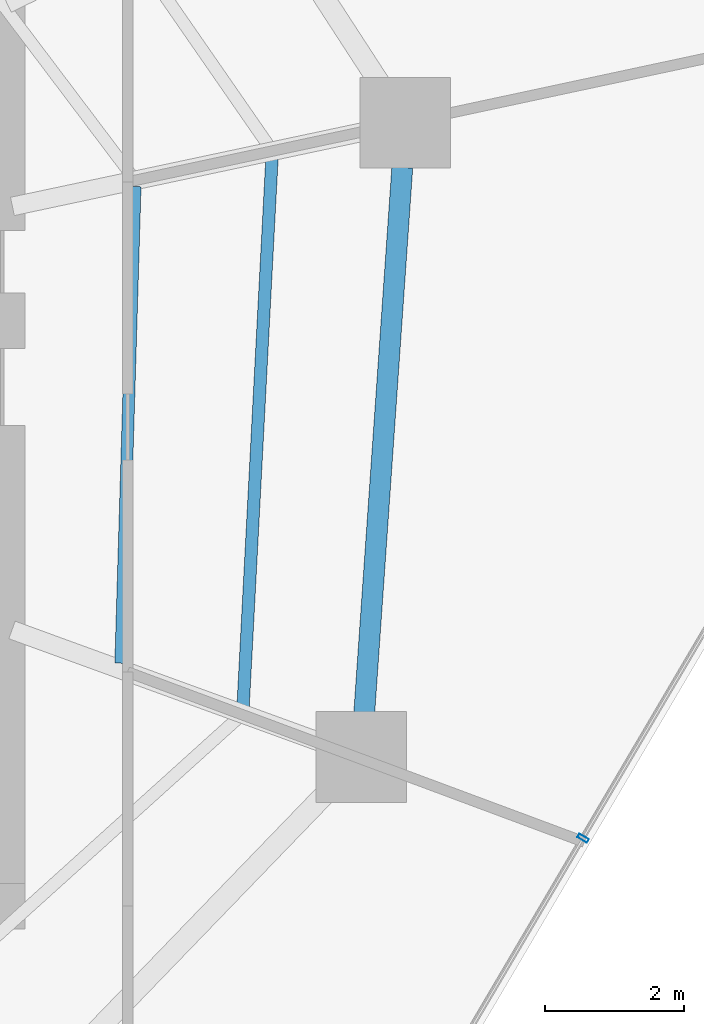
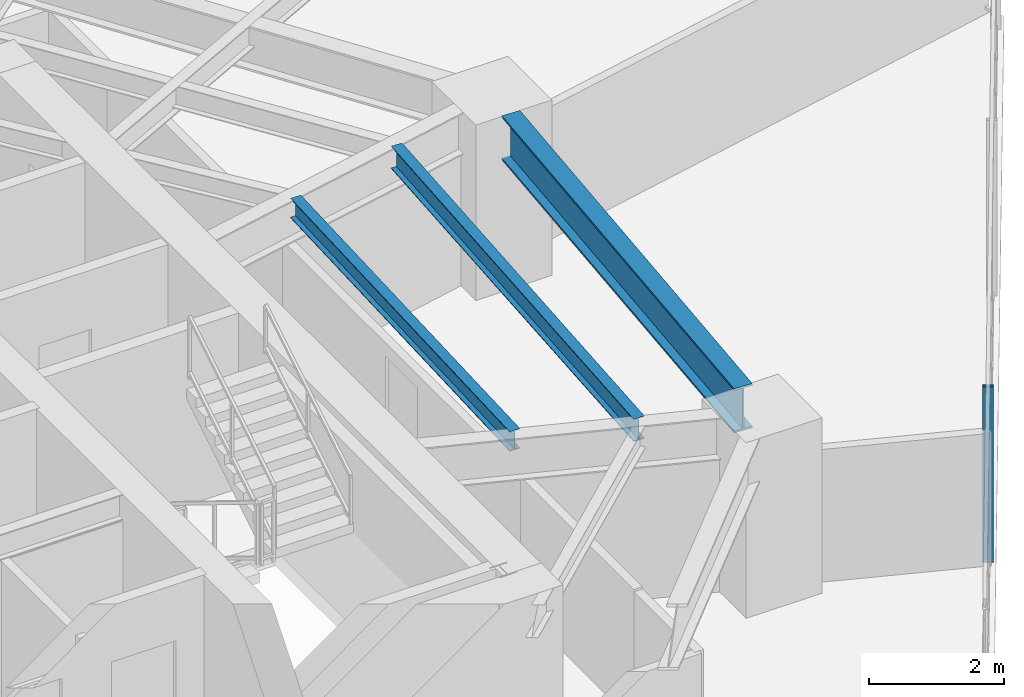
# One storey, part 13 of 31: 3 beams, 1 member, 1 element without a shape of its own.
"""IFC4 building model written with IfcOpenShell, lengths in metres."""

from ifc_helpers import new_model, si_unit, direction, frame, origin, origin_2d, place, context, subcontext, project, spatial, hollow_rectangle, i_section, extrude, material, layer, layer_set, material_profile, profile_set, type_object, element, aggregate, save


model = new_model("IFC4")

# Units and contexts
model_context = context("Model", 3, precision=1e-05, world=origin(), true_north=direction((0.0, 1.0)))
body_context = subcontext(model_context, "Body", "Model", "MODEL_VIEW")
ifc_project = project(units=[si_unit("LENGTHUNIT", "METRE"), si_unit("AREAUNIT", "SQUARE_METRE"), si_unit("VOLUMEUNIT", "CUBIC_METRE"), si_unit("PLANEANGLEUNIT", "RADIAN"), si_unit("MASSUNIT", "GRAM", prefix="KILO")], contexts=[model_context])

# Site, building, storey
site_placement = place(None, origin())
site = spatial("IfcSite", under=ifc_project, at=site_placement, CompositionType="ELEMENT")
building_placement = place(site_placement, origin())
building = spatial("IfcBuilding", under=site, at=building_placement, Name="Qarnah Convention Tower", CompositionType="ELEMENT")
storey_placement = place(building_placement, frame((0.0, 0.0, 64.949951171875)))
storey = spatial("IfcBuildingStorey", under=building, at=storey_placement, Name="L16", CompositionType="ELEMENT", Elevation=64.949951171875)

# Beams
ifc_material_1 = material(Name="Structural steel S355JR", Category="steel")
ifc_material_profile_1 = material_profile(ifc_material_1, i_section(OverallWidth=0.172119140625, OverallDepth=0.35595703125, WebThickness=0.007080078125, FlangeThickness=0.011962890625, at=origin_2d()), Name="W360X51")
ifc_profile_set_1 = profile_set([ifc_material_profile_1], Name="Structural steel S355JR")
beam_type_1 = type_object("IfcBeamType", Name="BM-JST-W360", PredefinedType="JOIST", material=ifc_profile_set_1)
beam_1_placement = place(storey_placement, frame((49.302978515625, 22.0859375, 2.991943359375), z_axis=(0.029821497478, 0.999555240238, 0.0), x_axis=(-0.999555240238, 0.029821497478, 0.0)))
element("IfcBeam", 1, at=beam_1_placement, inside=storey, type_object=beam_type_1, Name="L16 joist BM-L16-IJST-09", PredefinedType="JOIST", context=body_context, shape_type="SweptSolid", body=[
    extrude(i_section(OverallWidth=0.172119140625, OverallDepth=0.35595703125, WebThickness=0.007080078125, FlangeThickness=0.011962890625, at=origin_2d()), origin(), (0.0, 0.0, 1.0), 6.843994140625),
])
ifc_material_profile_2 = material_profile(ifc_material_1, i_section(OverallWidth=0.177978515625, OverallDepth=0.407958984375, WebThickness=0.008056640625, FlangeThickness=0.012939453125, at=origin_2d()), Name="W410X60")
ifc_profile_set_2 = profile_set([ifc_material_profile_2], Name="Structural steel S355JR")
beam_type_2 = type_object("IfcBeamType", Name="BM-JST-W410", PredefinedType="JOIST", material=ifc_profile_set_2)
beam_2_placement = place(storey_placement, frame((51.056884765625, 21.448974609375, 2.966064453125), z_axis=(0.052613933491, 0.998614927789, 0.0), x_axis=(-0.998614927789, 0.052613933491, 0.0)))
element("IfcBeam", 2, at=beam_2_placement, inside=storey, type_object=beam_type_2, Name="L16 joist BM-L16-SJST-09", PredefinedType="JOIST", context=body_context, shape_type="SweptSolid", body=[
    extrude(i_section(OverallWidth=0.177978515625, OverallDepth=0.407958984375, WebThickness=0.008056640625, FlangeThickness=0.012939453125, at=origin_2d()), origin(), (0.0, 0.0, 1.0), 7.906982421875),
])
ifc_material_profile_3 = material_profile(ifc_material_1, i_section(OverallWidth=0.300048828125, OverallDepth=0.800048828125, WebThickness=0.01806640625, FlangeThickness=0.032958984375, at=origin_2d()), Name="HEB800")
ifc_profile_set_3 = profile_set([ifc_material_profile_3], Name="Structural steel S355JR")
beam_type_3 = type_object("IfcBeamType", Name="BM-RING-HEB800", PredefinedType="BEAM", material=ifc_profile_set_3)
beam_3_placement = place(storey_placement, frame((52.797119140625, 21.3779296875, 2.77001953125), z_axis=(0.069594661237, 0.997575352105, 0.0), x_axis=(-0.997575352105, 0.069594661237, 0.0)))
element("IfcBeam", 3, at=beam_3_placement, inside=storey, type_object=beam_type_3, Name="L16 beam BM-L16-SPN-09", PredefinedType="BEAM", context=body_context, shape_type="SweptSolid", body=[
    extrude(i_section(OverallWidth=0.300048828125, OverallDepth=0.800048828125, WebThickness=0.01806640625, FlangeThickness=0.032958984375, at=origin_2d()), origin(), (0.0, 0.0, 1.0), 7.843994140625),
])

# Curtain wall, member
ifc_material_2 = material(Name="Tempered Low-E dark glass", Category="glass")
ifc_layer = layer(ifc_material_2, 0.16796875)
ifc_layer_set = layer_set([ifc_layer], Name="Tempered Low-E dark glass")
curtain_wall_type = type_object("IfcCurtainWallType", Name="CWS-01", PredefinedType="NOTDEFINED", material=ifc_layer_set)
curtain_wall_placement = place(storey_placement, origin())
curtain_wall = element("IfcCurtainWall", 4, at=curtain_wall_placement, inside=storey, type_object=curtain_wall_type, Name="L16 unitised curtain wall CW-L16-F2", PredefinedType="NOTDEFINED")
ifc_material_3 = material(Name="Black anodised aluminium", Category="aluminium")
ifc_material_profile_4 = material_profile(ifc_material_3, hollow_rectangle(XDim=0.06005859375, YDim=0.159912109375, WallThickness=0.00390625, at=origin_2d()), Name="MUL-60X160")
ifc_profile_set_4 = profile_set([ifc_material_profile_4], Name="Black anodised aluminium")
member_type = type_object("IfcMemberType", Name="MUL-T1", PredefinedType="MULLION", material=ifc_profile_set_4)
member_placement = place(storey_placement, frame((55.9375, 19.574462890625, 0.0), z_axis=(0.0, 0.0, 1.0), x_axis=(-0.507200534441, -0.86182806746, 0.0)))
member = element("IfcMember", 5, at=member_placement, type_object=member_type, Name="CW-L16-F2 mullion 3", PredefinedType="MULLION", context=body_context, shape_type="SweptSolid", body=[
    extrude(hollow_rectangle(XDim=0.06005859375, YDim=0.159912109375, WallThickness=0.00390625, at=origin_2d()), origin(), (0.0, 0.0, 1.0), 3.170166015625),
])
aggregate(curtain_wall, [member])

save(model, "model.ifc")
